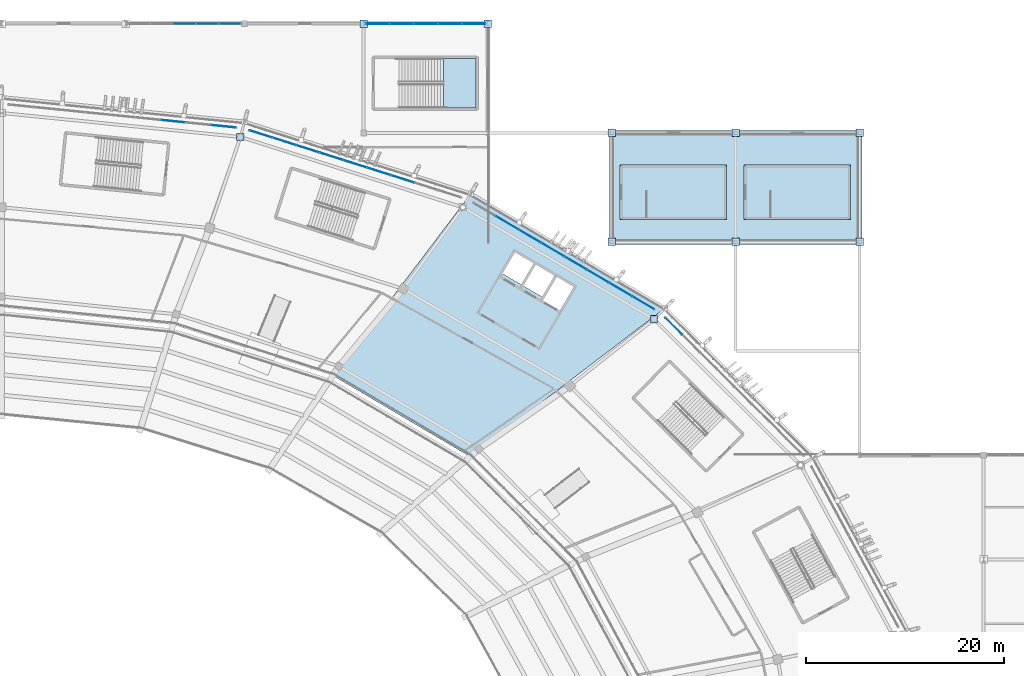
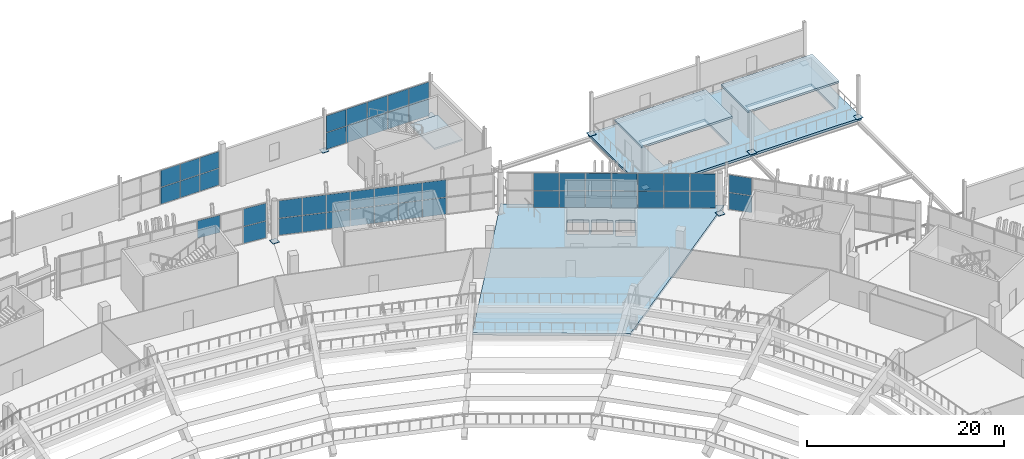
# One storey, part 102 of 178: 59 plates, 5 slabs, 7 elements without a shape of their own.
"""IFC4 building model written with IfcOpenShell, lengths in metres."""

from ifc_helpers import new_model, si_unit, direction, frame, origin, origin_2d, place, context, subcontext, project, spatial, polyline, rectangle, outline, extrude, material, layer, layer_set, type_object, element, aggregate, save


model = new_model("IFC4")

# Units and contexts
model_context = context("Model", 3, precision=1e-05, world=origin(), true_north=direction((0.0, 1.0)))
body_context = subcontext(model_context, "Body", "Model", "MODEL_VIEW")
ifc_project = project(units=[si_unit("LENGTHUNIT", "METRE"), si_unit("AREAUNIT", "SQUARE_METRE"), si_unit("VOLUMEUNIT", "CUBIC_METRE"), si_unit("PLANEANGLEUNIT", "RADIAN"), si_unit("MASSUNIT", "GRAM", prefix="KILO")], contexts=[model_context])

# Site, building, storey
site_placement = place(None, origin())
site = spatial("IfcSite", under=ifc_project, at=site_placement, CompositionType="ELEMENT")
building_placement = place(site_placement, origin())
building = spatial("IfcBuilding", under=site, at=building_placement, Name="Zlatoyarsky Gate Stadium", CompositionType="ELEMENT")
storey_placement = place(building_placement, frame((0.0, 0.0, 5.39990234375)))
storey = spatial("IfcBuildingStorey", under=building, at=storey_placement, Name="L01", CompositionType="ELEMENT", Elevation=5.39990234375)

# Slabs
ifc_material_1 = material(Name="Concrete C40/50", Category="concrete")
ifc_layer_1 = layer(ifc_material_1, 0.300048828125)
ifc_layer_set_1 = layer_set([ifc_layer_1], Name="Concrete C40/50")
slab_type_1 = type_object("IfcSlabType", Name="CONCRETE CONCOURSE SLAB 300", PredefinedType="FLOOR", material=ifc_layer_set_1)
slab_1_placement = place(storey_placement, frame((0.0, 0.0, -0.2998046875)))
element("IfcSlab", 1, at=slab_1_placement, inside=storey, type_object=slab_type_1, Name="L01 bowl sector 03 slab", PredefinedType="FLOOR", context=body_context, shape_type="SweptSolid", body=[
    extrude(outline(polyline([(144.39990234375, 124.513671875), (158.30419921875, 142.880859375), (177.898193359375, 131.342041015625), (158.234619140625, 116.34521484375), (144.39990234375, 124.513671875)]), holes=[polyline([(167.2734375, 131.070068359375), (168.688720703125, 133.486083984375), (166.962890625, 134.4970703125), (165.547607421875, 132.0810546875), (167.2734375, 131.070068359375)]), polyline([(165.483642578125, 132.46630859375), (166.747314453125, 134.623291015625), (164.84912109375, 135.7353515625), (163.58544921875, 133.578125), (165.483642578125, 132.46630859375)]), polyline([(164.63330078125, 135.86181640625), (162.735107421875, 136.9736328125), (161.471435546875, 134.816650390625), (163.36962890625, 133.70458984375), (164.63330078125, 135.86181640625)])]), origin(), (0.0, 0.0, 1.0), 0.2998046875),
])
slab_2_placement = place(storey_placement, frame((0.0, 0.0, -0.2998046875)))
element("IfcSlab", 2, at=slab_2_placement, inside=storey, type_object=slab_type_1, Name="L01 wing V6_NE slab", PredefinedType="FLOOR", context=body_context, shape_type="SweptSolid", body=[
    extrude(outline(polyline([(197.739990234375, 149.239990234375), (197.739990234375, 137.760009765625), (172.260009765625, 137.760009765625), (172.260009765625, 149.239990234375), (197.739990234375, 149.239990234375)]), holes=[polyline([(176.050048828125, 140.5), (183.800048828125, 140.5), (183.800048828125, 145.5), (176.050048828125, 145.5), (176.050048828125, 140.5)]), polyline([(188.550048828125, 140.5), (196.300048828125, 140.5), (196.300048828125, 145.5), (188.550048828125, 145.5), (188.550048828125, 140.5)])]), origin(), (0.0, 0.0, 1.0), 0.2998046875),
])
ifc_layer_2 = layer(ifc_material_1, 0.239990234375)
ifc_layer_set_2 = layer_set([ifc_layer_2], Name="Concrete C40/50")
slab_type_2 = type_object("IfcSlabType", Name="CONCRETE CORE TOP CAP SLAB 240", PredefinedType="ROOF", material=ifc_layer_set_2)
slab_3_placement = place(storey_placement, frame((0.0, 0.0, 3.2001953125)))
element("IfcSlab", 3, at=slab_3_placement, inside=storey, type_object=slab_type_2, Name="ST-27 stair headhouse roof cap", PredefinedType="ROOF", context=body_context, shape_type="SweptSolid", body=[
    extrude(outline(polyline([(173.35009765625, 140.25), (184.050048828125, 140.25), (184.050048828125, 145.75), (173.35009765625, 145.75), (173.35009765625, 140.25)])), origin(), (0.0, 0.0, 1.0), 0.239990234375),
])
slab_4_placement = place(storey_placement, frame((0.0, 0.0, 3.2001953125)))
element("IfcSlab", 4, at=slab_4_placement, inside=storey, type_object=slab_type_2, Name="ST-28 stair headhouse roof cap", PredefinedType="ROOF", context=body_context, shape_type="SweptSolid", body=[
    extrude(outline(polyline([(185.85009765625, 140.25), (196.550048828125, 140.25), (196.550048828125, 145.75), (185.85009765625, 145.75), (185.85009765625, 140.25)])), origin(), (0.0, 0.0, 1.0), 0.239990234375),
])

# Stair, slab
stair_type = type_object("IfcStairType", Name="CONCRETE DOGLEG EXIT STAIR H5200", PredefinedType="TWO_STRAIGHT_RUN_STAIR", material=ifc_material_1)
stair_placement = place(storey_placement, origin())
stair = element("IfcStair", 5, at=stair_placement, inside=storey, type_object=stair_type, Name="L01 Exit Stair ST-32", PredefinedType="TWO_STRAIGHT_RUN_STAIR")
ifc_layer_3 = layer(ifc_material_1, 0.199951171875)
ifc_layer_set_3 = layer_set([ifc_layer_3], Name="Concrete C40/50")
slab_type_3 = type_object("IfcSlabType", Name="CONCRETE STAIR LANDING SLAB 200", PredefinedType="LANDING", material=ifc_layer_set_3)
slab_5_placement = place(storey_placement, frame((0.0, 0.0, 2.400146484375)))
slab_5 = element("IfcSlab", 6, at=slab_5_placement, type_object=slab_type_3, Name="ST-DG52 landing 1", PredefinedType="LANDING", context=body_context, shape_type="SweptSolid", body=[
    extrude(outline(polyline([(155.550048828125, 151.5), (158.800048828125, 151.5), (158.800048828125, 156.5), (155.550048828125, 156.5), (155.550048828125, 151.5)])), origin(), (0.0, 0.0, 1.0), 0.199951171875),
])
aggregate(stair, [slab_5])

# Curtain wall, plates
ifc_material_2 = material(Name="Thermally broken anodised aluminium curtain wall", Category="aluminium")
curtain_wall_type_1 = type_object("IfcCurtainWallType", Name="WINTER GARDEN CONSERVATORY GLAZING", PredefinedType="USERDEFINED", material=ifc_material_2)
curtain_wall_1_placement = place(storey_placement, origin())
curtain_wall_1 = element("IfcCurtainWall", 7, at=curtain_wall_1_placement, inside=storey, type_object=curtain_wall_type_1, Name="Curtain wall CW-V2_NORTH-L01-148", ObjectType="UNITISED GLAZING", PredefinedType="USERDEFINED")
ifc_material_3 = material(Name="Anodised aluminium spandrel panel", Category="aluminium")
ifc_layer_4 = layer(ifc_material_3, 0.05810546875)
ifc_layer_set_4 = layer_set([ifc_layer_4], Name="Anodised aluminium spandrel panel")
plate_type_1 = type_object("IfcPlateType", Name="INSULATED ALUMINIUM SPANDREL PANEL 58", PredefinedType="CURTAIN_PANEL", material=ifc_layer_set_4)
plate_1_placement = place(storey_placement, frame((148.895751953125, 160.0, 0.06494140625), z_axis=(0.0, 0.0, 1.0), x_axis=(1.0, 0.0, 0.0)))
plate_1 = element("IfcPlate", 8, at=plate_1_placement, type_object=plate_type_1, Name="CW-WG1 panel 1.1", PredefinedType="CURTAIN_PANEL", context=body_context, shape_type="SweptSolid", body=[
    extrude(rectangle(XDim=2.337646484375, YDim=0.05810546875, at=origin_2d()), origin(), (0.0, 0.0, 1.0), 2.052490234375),
])
plate_2_placement = place(storey_placement, frame((148.895751953125, 160.0, 2.1826171875), z_axis=(0.0, 0.0, 1.0), x_axis=(1.0, 0.0, 0.0)))
plate_2 = element("IfcPlate", 9, at=plate_2_placement, type_object=plate_type_1, Name="CW-WG1 panel 1.2", PredefinedType="CURTAIN_PANEL", context=body_context, shape_type="SweptSolid", body=[
    extrude(rectangle(XDim=2.337646484375, YDim=0.05810546875, at=origin_2d()), origin(), (0.0, 0.0, 1.0), 2.052490234375),
])
plate_3_placement = place(storey_placement, frame((151.314697265625, 160.0, 0.06494140625), z_axis=(0.0, 0.0, 1.0), x_axis=(1.0, 0.0, 0.0)))
plate_3 = element("IfcPlate", 10, at=plate_3_placement, type_object=plate_type_1, Name="CW-WG1 panel 2.1", PredefinedType="CURTAIN_PANEL", context=body_context, shape_type="SweptSolid", body=[
    extrude(rectangle(XDim=2.3701171875, YDim=0.05810546875, at=origin_2d()), origin(), (0.0, 0.0, 1.0), 2.052490234375),
])
plate_4_placement = place(storey_placement, frame((151.314697265625, 160.0, 2.1826171875), z_axis=(0.0, 0.0, 1.0), x_axis=(1.0, 0.0, 0.0)))
plate_4 = element("IfcPlate", 11, at=plate_4_placement, type_object=plate_type_1, Name="CW-WG1 panel 2.2", PredefinedType="CURTAIN_PANEL", context=body_context, shape_type="SweptSolid", body=[
    extrude(rectangle(XDim=2.3701171875, YDim=0.05810546875, at=origin_2d()), origin(), (0.0, 0.0, 1.0), 2.052490234375),
])
plate_5_placement = place(storey_placement, frame((153.75, 160.0, 0.06494140625), z_axis=(0.0, 0.0, 1.0), x_axis=(1.0, 0.0, 0.0)))
plate_5 = element("IfcPlate", 12, at=plate_5_placement, type_object=plate_type_1, Name="CW-WG1 panel 3.1", PredefinedType="CURTAIN_PANEL", context=body_context, shape_type="SweptSolid", body=[
    extrude(rectangle(XDim=2.3701171875, YDim=0.05810546875, at=origin_2d()), origin(), (0.0, 0.0, 1.0), 2.052490234375),
])
plate_6_placement = place(storey_placement, frame((153.75, 160.0, 2.1826171875), z_axis=(0.0, 0.0, 1.0), x_axis=(1.0, 0.0, 0.0)))
plate_6 = element("IfcPlate", 13, at=plate_6_placement, type_object=plate_type_1, Name="CW-WG1 panel 3.2", PredefinedType="CURTAIN_PANEL", context=body_context, shape_type="SweptSolid", body=[
    extrude(rectangle(XDim=2.3701171875, YDim=0.05810546875, at=origin_2d()), origin(), (0.0, 0.0, 1.0), 2.052490234375),
])
plate_7_placement = place(storey_placement, frame((156.185302734375, 160.0, 0.06494140625), z_axis=(0.0, 0.0, 1.0), x_axis=(1.0, 0.0, 0.0)))
plate_7 = element("IfcPlate", 14, at=plate_7_placement, type_object=plate_type_1, Name="CW-WG1 panel 4.1", PredefinedType="CURTAIN_PANEL", context=body_context, shape_type="SweptSolid", body=[
    extrude(rectangle(XDim=2.3701171875, YDim=0.05810546875, at=origin_2d()), origin(), (0.0, 0.0, 1.0), 2.052490234375),
])
plate_8_placement = place(storey_placement, frame((156.185302734375, 160.0, 2.1826171875), z_axis=(0.0, 0.0, 1.0), x_axis=(1.0, 0.0, 0.0)))
plate_8 = element("IfcPlate", 15, at=plate_8_placement, type_object=plate_type_1, Name="CW-WG1 panel 4.2", PredefinedType="CURTAIN_PANEL", context=body_context, shape_type="SweptSolid", body=[
    extrude(rectangle(XDim=2.3701171875, YDim=0.05810546875, at=origin_2d()), origin(), (0.0, 0.0, 1.0), 2.052490234375),
])
plate_9_placement = place(storey_placement, frame((158.604248046875, 160.0, 0.06494140625), z_axis=(0.0, 0.0, 1.0), x_axis=(1.0, 0.0, 0.0)))
plate_9 = element("IfcPlate", 16, at=plate_9_placement, type_object=plate_type_1, Name="CW-WG1 panel 5.1", PredefinedType="CURTAIN_PANEL", context=body_context, shape_type="SweptSolid", body=[
    extrude(rectangle(XDim=2.337646484375, YDim=0.05810546875, at=origin_2d()), origin(), (0.0, 0.0, 1.0), 2.052490234375),
])
plate_10_placement = place(storey_placement, frame((158.604248046875, 160.0, 2.1826171875), z_axis=(0.0, 0.0, 1.0), x_axis=(1.0, 0.0, 0.0)))
plate_10 = element("IfcPlate", 17, at=plate_10_placement, type_object=plate_type_1, Name="CW-WG1 panel 5.2", PredefinedType="CURTAIN_PANEL", context=body_context, shape_type="SweptSolid", body=[
    extrude(rectangle(XDim=2.337646484375, YDim=0.05810546875, at=origin_2d()), origin(), (0.0, 0.0, 1.0), 2.052490234375),
])
aggregate(curtain_wall_1, [plate_1, plate_2, plate_3, plate_4, plate_5, plate_6, plate_7, plate_8, plate_9, plate_10])

# Plates
ifc_material_4 = material(Name="Steel S355", Category="steel")
ifc_layer_5 = layer(ifc_material_4, 0.0400390625)
ifc_layer_set_5 = layer_set([ifc_layer_5], Name="Steel S355")
plate_type_2 = type_object("IfcPlateType", Name="STEEL COLUMN BASE PLATE 40", PredefinedType="USERDEFINED", material=ifc_layer_set_5)
for number, where, z_axis, x_axis, name in (
    (18, (176.760986328125, 130.20458984375, 0.0), (0.0, 0.0, 1.0), (1.0, 0.0, 0.0), "Column base plate BP-01 at RC-03 L01"),
    (19, (135.0703125, 148.580810546875, 0.0), (0.0, 0.0, 1.0), (1.0, 0.0, 0.0), "Column base plate BP-01 at RC-05 L01"),
    (20, (147.5, 160.0, 0.0), (0.0, 0.0, 1.0), (1.0, 0.0, 0.0), "Column base plate BP-01 at WG-13-Q L01"),
    (21, (160.0, 160.0, 0.0), (0.0, 0.0, 1.0), (1.0, 0.0, 0.0), "Column base plate BP-01 at WG-14-Q L01"),
    (22, (172.5, 138.0, 0.0), (0.0, 0.0, 1.0), (1.0, 0.0, 0.0), "Column base plate BP-01 at WG-15-N L01"),
    (23, (172.5, 149.0, 0.0), (0.0, 0.0, 1.0), (1.0, 0.0, 0.0), "Column base plate BP-01 at WG-15-P L01"),
    (24, (185.0, 138.0, 0.0), (0.0, 0.0, 1.0), (1.0, 0.0, 0.0), "Column base plate BP-01 at WG-16-N L01"),
    (25, (185.0, 149.0, 0.0), (0.0, 0.0, 1.0), (1.0, 0.0, 0.0), "Column base plate BP-01 at WG-16-P L01"),
    (26, (197.5, 138.0, 0.0), (0.0, 0.0, 1.0), (1.0, 0.0, 0.0), "Column base plate BP-01 at WG-17-N L01"),
    (27, (197.5, 149.0, 0.0), (0.0, 0.0, 1.0), (1.0, 0.0, 0.0), "Column base plate BP-01 at WG-17-P L01"),
):
    element("IfcPlate", number, at=place(storey_placement, frame(where, z_axis=z_axis, x_axis=x_axis)), inside=storey, type_object=plate_type_2, Name=name, ObjectType="BASE PLATE", PredefinedType="USERDEFINED", context=body_context, shape_type="SweptSolid", body=[
        extrude(rectangle(XDim=0.75, YDim=0.75, at=origin_2d()), origin(), (0.0, 0.0, 1.0), 0.0400390625),
    ])

# Curtain wall, plates
curtain_wall_type_2 = type_object("IfcCurtainWallType", Name="UNITISED HOSPITALITY GLAZING L01", PredefinedType="USERDEFINED", material=ifc_material_2)
curtain_wall_2_placement = place(storey_placement, origin())
curtain_wall_2 = element("IfcCurtainWall", 28, at=curtain_wall_2_placement, inside=storey, type_object=curtain_wall_type_2, Name="Curtain wall CW-L01-02", ObjectType="UNITISED GLAZING", PredefinedType="USERDEFINED")
ifc_material_5 = material(Name="Triple-glazed argon low-e architectural glass", Category="glass")
ifc_layer_6 = layer(ifc_material_5, 0.0380859375)
ifc_layer_set_6 = layer_set([ifc_layer_6], Name="Triple-glazed argon low-e architectural glass")
plate_type_3 = type_object("IfcPlateType", Name="TRIPLE GLAZED LOW E CURTAIN PANEL 38", PredefinedType="CURTAIN_PANEL", material=ifc_layer_set_6)
plate_11_placement = place(storey_placement, frame((178.750244140625, 129.5029296875, 0.06494140625), z_axis=(0.0, 0.0, 1.0), x_axis=(-0.707841859523, 0.706370937898, 0.0)))
plate_11 = element("IfcPlate", 29, at=plate_11_placement, type_object=plate_type_3, Name="CW-UG1 panel 8.1", PredefinedType="CURTAIN_PANEL", context=body_context, shape_type="SweptSolid", body=[
    extrude(rectangle(XDim=2.37548828125, YDim=0.0380859375, at=origin_2d()), origin(), (0.0, 0.0, 1.0), 2.052490234375),
])
plate_12_placement = place(storey_placement, frame((178.750244140625, 129.5029296875, 2.1826171875), z_axis=(0.0, 0.0, 1.0), x_axis=(-0.707841859523, 0.706370937898, 0.0)))
plate_12 = element("IfcPlate", 30, at=plate_12_placement, type_object=plate_type_3, Name="CW-UG1 panel 8.2", PredefinedType="CURTAIN_PANEL", context=body_context, shape_type="SweptSolid", body=[
    extrude(rectangle(XDim=2.37548828125, YDim=0.0380859375, at=origin_2d()), origin(), (0.0, 0.0, 1.0), 2.152587890625),
])
aggregate(curtain_wall_2, [plate_11, plate_12])

curtain_wall_3_placement = place(storey_placement, origin())
curtain_wall_3 = element("IfcCurtainWall", 31, at=curtain_wall_3_placement, inside=storey, type_object=curtain_wall_type_2, Name="Curtain wall CW-L01-03", ObjectType="UNITISED GLAZING", PredefinedType="USERDEFINED")
plate_13_placement = place(storey_placement, frame((175.683349609375, 131.857666015625, 0.06494140625), z_axis=(0.0, 0.0, 1.0), x_axis=(-0.862186850558, 0.506590401335, 0.0)))
plate_13 = element("IfcPlate", 32, at=plate_13_placement, type_object=plate_type_3, Name="CW-UG1 panel 1.1", PredefinedType="CURTAIN_PANEL", context=body_context, shape_type="SweptSolid", body=[
    extrude(rectangle(XDim=2.559814453125, YDim=0.0380859375, at=origin_2d()), origin(), (0.0, 0.0, 1.0), 2.052490234375),
])
plate_14_placement = place(storey_placement, frame((175.683349609375, 131.857666015625, 2.1826171875), z_axis=(0.0, 0.0, 1.0), x_axis=(-0.862186850558, 0.506590401335, 0.0)))
plate_14 = element("IfcPlate", 33, at=plate_14_placement, type_object=plate_type_3, Name="CW-UG1 panel 1.2", PredefinedType="CURTAIN_PANEL", context=body_context, shape_type="SweptSolid", body=[
    extrude(rectangle(XDim=2.559814453125, YDim=0.0380859375, at=origin_2d()), origin(), (0.0, 0.0, 1.0), 2.152587890625),
])
plate_15_placement = place(storey_placement, frame((173.40625, 133.195556640625, 0.06494140625), z_axis=(0.0, 0.0, 1.0), x_axis=(-0.862186850558, 0.506590401335, 0.0)))
plate_15 = element("IfcPlate", 34, at=plate_15_placement, type_object=plate_type_3, Name="CW-UG1 panel 2.1", PredefinedType="CURTAIN_PANEL", context=body_context, shape_type="SweptSolid", body=[
    extrude(rectangle(XDim=2.59228515625, YDim=0.0380859375, at=origin_2d()), origin(), (0.0, 0.0, 1.0), 2.052490234375),
])
plate_16_placement = place(storey_placement, frame((173.40625, 133.195556640625, 2.1826171875), z_axis=(0.0, 0.0, 1.0), x_axis=(-0.862186850558, 0.506590401335, 0.0)))
plate_16 = element("IfcPlate", 35, at=plate_16_placement, type_object=plate_type_3, Name="CW-UG1 panel 2.2", PredefinedType="CURTAIN_PANEL", context=body_context, shape_type="SweptSolid", body=[
    extrude(rectangle(XDim=2.59228515625, YDim=0.0380859375, at=origin_2d()), origin(), (0.0, 0.0, 1.0), 2.152587890625),
])
plate_17_placement = place(storey_placement, frame((171.115234375, 134.54150390625, 0.06494140625), z_axis=(0.0, 0.0, 1.0), x_axis=(-0.862186850558, 0.506590401335, 0.0)))
plate_17 = element("IfcPlate", 36, at=plate_17_placement, type_object=plate_type_3, Name="CW-UG1 panel 3.1", PredefinedType="CURTAIN_PANEL", context=body_context, shape_type="SweptSolid", body=[
    extrude(rectangle(XDim=2.59228515625, YDim=0.0380859375, at=origin_2d()), origin(), (0.0, 0.0, 1.0), 2.052490234375),
])
plate_18_placement = place(storey_placement, frame((171.115234375, 134.54150390625, 2.1826171875), z_axis=(0.0, 0.0, 1.0), x_axis=(-0.862186850558, 0.506590401335, 0.0)))
plate_18 = element("IfcPlate", 37, at=plate_18_placement, type_object=plate_type_3, Name="CW-UG1 panel 3.2", PredefinedType="CURTAIN_PANEL", context=body_context, shape_type="SweptSolid", body=[
    extrude(rectangle(XDim=2.59228515625, YDim=0.0380859375, at=origin_2d()), origin(), (0.0, 0.0, 1.0), 2.152587890625),
])
plate_19_placement = place(storey_placement, frame((168.82421875, 135.8876953125, 0.06494140625), z_axis=(0.0, 0.0, 1.0), x_axis=(-0.862186850558, 0.506590401335, 0.0)))
plate_19 = element("IfcPlate", 38, at=plate_19_placement, type_object=plate_type_3, Name="CW-UG1 panel 4.1", PredefinedType="CURTAIN_PANEL", context=body_context, shape_type="SweptSolid", body=[
    extrude(rectangle(XDim=2.59228515625, YDim=0.0380859375, at=origin_2d()), origin(), (0.0, 0.0, 1.0), 2.052490234375),
])
plate_20_placement = place(storey_placement, frame((168.82421875, 135.8876953125, 2.1826171875), z_axis=(0.0, 0.0, 1.0), x_axis=(-0.862186850558, 0.506590401335, 0.0)))
plate_20 = element("IfcPlate", 39, at=plate_20_placement, type_object=plate_type_3, Name="CW-UG1 panel 4.2", PredefinedType="CURTAIN_PANEL", context=body_context, shape_type="SweptSolid", body=[
    extrude(rectangle(XDim=2.59228515625, YDim=0.0380859375, at=origin_2d()), origin(), (0.0, 0.0, 1.0), 2.152587890625),
])
plate_21_placement = place(storey_placement, frame((166.533203125, 137.23388671875, 0.06494140625), z_axis=(0.0, 0.0, 1.0), x_axis=(-0.862186850558, 0.506590401335, 0.0)))
plate_21 = element("IfcPlate", 40, at=plate_21_placement, type_object=plate_type_3, Name="CW-UG1 panel 5.1", PredefinedType="CURTAIN_PANEL", context=body_context, shape_type="SweptSolid", body=[
    extrude(rectangle(XDim=2.59228515625, YDim=0.0380859375, at=origin_2d()), origin(), (0.0, 0.0, 1.0), 2.052490234375),
])
plate_22_placement = place(storey_placement, frame((166.533203125, 137.23388671875, 2.1826171875), z_axis=(0.0, 0.0, 1.0), x_axis=(-0.862186850558, 0.506590401335, 0.0)))
plate_22 = element("IfcPlate", 41, at=plate_22_placement, type_object=plate_type_3, Name="CW-UG1 panel 5.2", PredefinedType="CURTAIN_PANEL", context=body_context, shape_type="SweptSolid", body=[
    extrude(rectangle(XDim=2.59228515625, YDim=0.0380859375, at=origin_2d()), origin(), (0.0, 0.0, 1.0), 2.152587890625),
])
plate_23_placement = place(storey_placement, frame((164.2421875, 138.580078125, 0.06494140625), z_axis=(0.0, 0.0, 1.0), x_axis=(-0.862186850558, 0.506590401335, 0.0)))
plate_23 = element("IfcPlate", 42, at=plate_23_placement, type_object=plate_type_3, Name="CW-UG1 panel 6.1", PredefinedType="CURTAIN_PANEL", context=body_context, shape_type="SweptSolid", body=[
    extrude(rectangle(XDim=2.59228515625, YDim=0.0380859375, at=origin_2d()), origin(), (0.0, 0.0, 1.0), 2.052490234375),
])
plate_24_placement = place(storey_placement, frame((164.2421875, 138.580078125, 2.1826171875), z_axis=(0.0, 0.0, 1.0), x_axis=(-0.862186850558, 0.506590401335, 0.0)))
plate_24 = element("IfcPlate", 43, at=plate_24_placement, type_object=plate_type_3, Name="CW-UG1 panel 6.2", PredefinedType="CURTAIN_PANEL", context=body_context, shape_type="SweptSolid", body=[
    extrude(rectangle(XDim=2.59228515625, YDim=0.0380859375, at=origin_2d()), origin(), (0.0, 0.0, 1.0), 2.152587890625),
])
plate_25_placement = place(storey_placement, frame((161.951171875, 139.926025390625, 0.06494140625), z_axis=(0.0, 0.0, 1.0), x_axis=(-0.862186850558, 0.506590401335, 0.0)))
plate_25 = element("IfcPlate", 44, at=plate_25_placement, type_object=plate_type_3, Name="CW-UG1 panel 7.1", PredefinedType="CURTAIN_PANEL", context=body_context, shape_type="SweptSolid", body=[
    extrude(rectangle(XDim=2.59228515625, YDim=0.0380859375, at=origin_2d()), origin(), (0.0, 0.0, 1.0), 2.052490234375),
])
plate_26_placement = place(storey_placement, frame((161.951171875, 139.926025390625, 2.1826171875), z_axis=(0.0, 0.0, 1.0), x_axis=(-0.862186850558, 0.506590401335, 0.0)))
plate_26 = element("IfcPlate", 45, at=plate_26_placement, type_object=plate_type_3, Name="CW-UG1 panel 7.2", PredefinedType="CURTAIN_PANEL", context=body_context, shape_type="SweptSolid", body=[
    extrude(rectangle(XDim=2.59228515625, YDim=0.0380859375, at=origin_2d()), origin(), (0.0, 0.0, 1.0), 2.152587890625),
])
aggregate(curtain_wall_3, [plate_13, plate_14, plate_15, plate_16, plate_17, plate_18, plate_19, plate_20, plate_21, plate_22, plate_23, plate_24, plate_25, plate_26])

curtain_wall_4_placement = place(storey_placement, origin())
curtain_wall_4 = element("IfcCurtainWall", 46, at=curtain_wall_4_placement, inside=storey, type_object=curtain_wall_type_2, Name="Curtain wall CW-L01-04", ObjectType="UNITISED GLAZING", PredefinedType="USERDEFINED")
plate_27_placement = place(storey_placement, frame((151.387451171875, 144.357421875, 0.06494140625), z_axis=(0.0, 0.0, 1.0), x_axis=(-0.953202069722, 0.302333944964, 0.0)))
plate_27 = element("IfcPlate", 47, at=plate_27_placement, type_object=plate_type_3, Name="CW-UG1 panel 3.1", PredefinedType="CURTAIN_PANEL", context=body_context, shape_type="SweptSolid", body=[
    extrude(rectangle(XDim=2.4306640625, YDim=0.0380859375, at=origin_2d()), origin(), (0.0, 0.0, 1.0), 2.052490234375),
])
plate_28_placement = place(storey_placement, frame((151.387451171875, 144.357421875, 2.1826171875), z_axis=(0.0, 0.0, 1.0), x_axis=(-0.953202069722, 0.302333944964, 0.0)))
plate_28 = element("IfcPlate", 48, at=plate_28_placement, type_object=plate_type_3, Name="CW-UG1 panel 3.2", PredefinedType="CURTAIN_PANEL", context=body_context, shape_type="SweptSolid", body=[
    extrude(rectangle(XDim=2.4306640625, YDim=0.0380859375, at=origin_2d()), origin(), (0.0, 0.0, 1.0), 2.152587890625),
])
plate_29_placement = place(storey_placement, frame((149.008544921875, 145.11181640625, 0.06494140625), z_axis=(0.0, 0.0, 1.0), x_axis=(-0.953202069722, 0.302333944964, 0.0)))
plate_29 = element("IfcPlate", 49, at=plate_29_placement, type_object=plate_type_3, Name="CW-UG1 panel 4.1", PredefinedType="CURTAIN_PANEL", context=body_context, shape_type="SweptSolid", body=[
    extrude(rectangle(XDim=2.4306640625, YDim=0.0380859375, at=origin_2d()), origin(), (0.0, 0.0, 1.0), 2.052490234375),
])
plate_30_placement = place(storey_placement, frame((149.008544921875, 145.11181640625, 2.1826171875), z_axis=(0.0, 0.0, 1.0), x_axis=(-0.953202069722, 0.302333944964, 0.0)))
plate_30 = element("IfcPlate", 50, at=plate_30_placement, type_object=plate_type_3, Name="CW-UG1 panel 4.2", PredefinedType="CURTAIN_PANEL", context=body_context, shape_type="SweptSolid", body=[
    extrude(rectangle(XDim=2.4306640625, YDim=0.0380859375, at=origin_2d()), origin(), (0.0, 0.0, 1.0), 2.152587890625),
])
plate_31_placement = place(storey_placement, frame((146.6298828125, 145.866455078125, 0.06494140625), z_axis=(0.0, 0.0, 1.0), x_axis=(-0.953202069722, 0.302333944964, 0.0)))
plate_31 = element("IfcPlate", 51, at=plate_31_placement, type_object=plate_type_3, Name="CW-UG1 panel 5.1", PredefinedType="CURTAIN_PANEL", context=body_context, shape_type="SweptSolid", body=[
    extrude(rectangle(XDim=2.4306640625, YDim=0.0380859375, at=origin_2d()), origin(), (0.0, 0.0, 1.0), 2.052490234375),
])
plate_32_placement = place(storey_placement, frame((146.6298828125, 145.866455078125, 2.1826171875), z_axis=(0.0, 0.0, 1.0), x_axis=(-0.953202069722, 0.302333944964, 0.0)))
plate_32 = element("IfcPlate", 52, at=plate_32_placement, type_object=plate_type_3, Name="CW-UG1 panel 5.2", PredefinedType="CURTAIN_PANEL", context=body_context, shape_type="SweptSolid", body=[
    extrude(rectangle(XDim=2.4306640625, YDim=0.0380859375, at=origin_2d()), origin(), (0.0, 0.0, 1.0), 2.152587890625),
])
plate_33_placement = place(storey_placement, frame((144.2509765625, 146.62109375, 0.06494140625), z_axis=(0.0, 0.0, 1.0), x_axis=(-0.953202069722, 0.302333944964, 0.0)))
plate_33 = element("IfcPlate", 53, at=plate_33_placement, type_object=plate_type_3, Name="CW-UG1 panel 6.1", PredefinedType="CURTAIN_PANEL", context=body_context, shape_type="SweptSolid", body=[
    extrude(rectangle(XDim=2.4306640625, YDim=0.0380859375, at=origin_2d()), origin(), (0.0, 0.0, 1.0), 2.052490234375),
])
plate_34_placement = place(storey_placement, frame((144.2509765625, 146.62109375, 2.1826171875), z_axis=(0.0, 0.0, 1.0), x_axis=(-0.953202069722, 0.302333944964, 0.0)))
plate_34 = element("IfcPlate", 54, at=plate_34_placement, type_object=plate_type_3, Name="CW-UG1 panel 6.2", PredefinedType="CURTAIN_PANEL", context=body_context, shape_type="SweptSolid", body=[
    extrude(rectangle(XDim=2.4306640625, YDim=0.0380859375, at=origin_2d()), origin(), (0.0, 0.0, 1.0), 2.152587890625),
])
plate_35_placement = place(storey_placement, frame((141.8720703125, 147.37548828125, 0.06494140625), z_axis=(0.0, 0.0, 1.0), x_axis=(-0.953202069722, 0.302333944964, 0.0)))
plate_35 = element("IfcPlate", 55, at=plate_35_placement, type_object=plate_type_3, Name="CW-UG1 panel 7.1", PredefinedType="CURTAIN_PANEL", context=body_context, shape_type="SweptSolid", body=[
    extrude(rectangle(XDim=2.4306640625, YDim=0.0380859375, at=origin_2d()), origin(), (0.0, 0.0, 1.0), 2.052490234375),
])
plate_36_placement = place(storey_placement, frame((141.8720703125, 147.37548828125, 2.1826171875), z_axis=(0.0, 0.0, 1.0), x_axis=(-0.953202069722, 0.302333944964, 0.0)))
plate_36 = element("IfcPlate", 56, at=plate_36_placement, type_object=plate_type_3, Name="CW-UG1 panel 7.2", PredefinedType="CURTAIN_PANEL", context=body_context, shape_type="SweptSolid", body=[
    extrude(rectangle(XDim=2.4306640625, YDim=0.0380859375, at=origin_2d()), origin(), (0.0, 0.0, 1.0), 2.152587890625),
])
plate_37_placement = place(storey_placement, frame((139.4931640625, 148.130126953125, 0.06494140625), z_axis=(0.0, 0.0, 1.0), x_axis=(-0.953202069722, 0.302333944964, 0.0)))
plate_37 = element("IfcPlate", 57, at=plate_37_placement, type_object=plate_type_3, Name="CW-UG1 panel 8.1", PredefinedType="CURTAIN_PANEL", context=body_context, shape_type="SweptSolid", body=[
    extrude(rectangle(XDim=2.4306640625, YDim=0.0380859375, at=origin_2d()), origin(), (0.0, 0.0, 1.0), 2.052490234375),
])
plate_38_placement = place(storey_placement, frame((139.4931640625, 148.130126953125, 2.1826171875), z_axis=(0.0, 0.0, 1.0), x_axis=(-0.953202069722, 0.302333944964, 0.0)))
plate_38 = element("IfcPlate", 58, at=plate_38_placement, type_object=plate_type_3, Name="CW-UG1 panel 8.2", PredefinedType="CURTAIN_PANEL", context=body_context, shape_type="SweptSolid", body=[
    extrude(rectangle(XDim=2.4306640625, YDim=0.0380859375, at=origin_2d()), origin(), (0.0, 0.0, 1.0), 2.152587890625),
])
plate_39_placement = place(storey_placement, frame((137.1298828125, 148.879638671875, 0.06494140625), z_axis=(0.0, 0.0, 1.0), x_axis=(-0.953202069722, 0.302333944964, 0.0)))
plate_39 = element("IfcPlate", 59, at=plate_39_placement, type_object=plate_type_3, Name="CW-UG1 panel 9.1", PredefinedType="CURTAIN_PANEL", context=body_context, shape_type="SweptSolid", body=[
    extrude(rectangle(XDim=2.398193359375, YDim=0.0380859375, at=origin_2d()), origin(), (0.0, 0.0, 1.0), 2.052490234375),
])
plate_40_placement = place(storey_placement, frame((137.1298828125, 148.879638671875, 2.1826171875), z_axis=(0.0, 0.0, 1.0), x_axis=(-0.953202069722, 0.302333944964, 0.0)))
plate_40 = element("IfcPlate", 60, at=plate_40_placement, type_object=plate_type_3, Name="CW-UG1 panel 9.2", PredefinedType="CURTAIN_PANEL", context=body_context, shape_type="SweptSolid", body=[
    extrude(rectangle(XDim=2.398193359375, YDim=0.0380859375, at=origin_2d()), origin(), (0.0, 0.0, 1.0), 2.152587890625),
])
aggregate(curtain_wall_4, [plate_27, plate_28, plate_29, plate_30, plate_31, plate_32, plate_33, plate_34, plate_35, plate_36, plate_37, plate_38, plate_39, plate_40])

curtain_wall_5_placement = place(storey_placement, origin())
curtain_wall_5 = element("IfcCurtainWall", 61, at=curtain_wall_5_placement, inside=storey, type_object=curtain_wall_type_2, Name="Curtain wall CW-L01-05", ObjectType="UNITISED GLAZING", PredefinedType="USERDEFINED")
plate_41_placement = place(storey_placement, frame((133.364013671875, 149.654052734375, 0.06494140625), z_axis=(0.0, 0.0, 1.0), x_axis=(-0.99495720457, 0.100300354307, 0.0)))
plate_41 = element("IfcPlate", 62, at=plate_41_placement, type_object=plate_type_3, Name="CW-UG1 panel 1.1", PredefinedType="CURTAIN_PANEL", context=body_context, shape_type="SweptSolid", body=[
    extrude(rectangle(XDim=2.472412109375, YDim=0.0380859375, at=origin_2d()), origin(), (0.0, 0.0, 1.0), 2.052490234375),
])
plate_42_placement = place(storey_placement, frame((133.364013671875, 149.654052734375, 2.1826171875), z_axis=(0.0, 0.0, 1.0), x_axis=(-0.99495720457, 0.100300354307, 0.0)))
plate_42 = element("IfcPlate", 63, at=plate_42_placement, type_object=plate_type_3, Name="CW-UG1 panel 1.2", PredefinedType="CURTAIN_PANEL", context=body_context, shape_type="SweptSolid", body=[
    extrude(rectangle(XDim=2.472412109375, YDim=0.0380859375, at=origin_2d()), origin(), (0.0, 0.0, 1.0), 2.152587890625),
])
plate_43_placement = place(storey_placement, frame((128.266357421875, 150.16796875, 2.1826171875), z_axis=(0.0, 0.0, 1.0), x_axis=(-0.99495720457, 0.100300354307, 0.0)))
plate_43 = element("IfcPlate", 64, at=plate_43_placement, type_object=plate_type_3, Name="CW-UG1 panel 3.2", PredefinedType="CURTAIN_PANEL", context=body_context, shape_type="SweptSolid", body=[
    extrude(rectangle(XDim=2.5048828125, YDim=0.0380859375, at=origin_2d()), origin(), (0.0, 0.0, 1.0), 2.152587890625),
])
aggregate(curtain_wall_5, [plate_41, plate_42, plate_43])

curtain_wall_6_placement = place(storey_placement, origin())
curtain_wall_6 = element("IfcCurtainWall", 65, at=curtain_wall_6_placement, inside=storey, type_object=curtain_wall_type_1, Name="Curtain wall CW-V2_NORTH-L01-147", ObjectType="UNITISED GLAZING", PredefinedType="USERDEFINED")
plate_44_placement = place(storey_placement, frame((129.425048828125, 160.0, 0.06494140625), z_axis=(0.0, 0.0, 1.0), x_axis=(1.0, 0.0, 0.0)))
plate_44 = element("IfcPlate", 66, at=plate_44_placement, type_object=plate_type_3, Name="CW-WG1 panel 3.1", PredefinedType="CURTAIN_PANEL", context=body_context, shape_type="SweptSolid", body=[
    extrude(rectangle(XDim=2.240234375, YDim=0.0380859375, at=origin_2d()), origin(), (0.0, 0.0, 1.0), 2.052490234375),
])
plate_45_placement = place(storey_placement, frame((129.425048828125, 160.0, 2.1826171875), z_axis=(0.0, 0.0, 1.0), x_axis=(1.0, 0.0, 0.0)))
plate_45 = element("IfcPlate", 67, at=plate_45_placement, type_object=plate_type_3, Name="CW-WG1 panel 3.2", PredefinedType="CURTAIN_PANEL", context=body_context, shape_type="SweptSolid", body=[
    extrude(rectangle(XDim=2.240234375, YDim=0.0380859375, at=origin_2d()), origin(), (0.0, 0.0, 1.0), 2.052490234375),
])
plate_46_placement = place(storey_placement, frame((131.730224609375, 160.0, 0.06494140625), z_axis=(0.0, 0.0, 1.0), x_axis=(1.0, 0.0, 0.0)))
plate_46 = element("IfcPlate", 68, at=plate_46_placement, type_object=plate_type_3, Name="CW-WG1 panel 4.1", PredefinedType="CURTAIN_PANEL", context=body_context, shape_type="SweptSolid", body=[
    extrude(rectangle(XDim=2.240234375, YDim=0.0380859375, at=origin_2d()), origin(), (0.0, 0.0, 1.0), 2.052490234375),
])
plate_47_placement = place(storey_placement, frame((131.730224609375, 160.0, 2.1826171875), z_axis=(0.0, 0.0, 1.0), x_axis=(1.0, 0.0, 0.0)))
plate_47 = element("IfcPlate", 69, at=plate_47_placement, type_object=plate_type_3, Name="CW-WG1 panel 4.2", PredefinedType="CURTAIN_PANEL", context=body_context, shape_type="SweptSolid", body=[
    extrude(rectangle(XDim=2.240234375, YDim=0.0380859375, at=origin_2d()), origin(), (0.0, 0.0, 1.0), 2.052490234375),
])
plate_48_placement = place(storey_placement, frame((134.01904296875, 160.0, 0.06494140625), z_axis=(0.0, 0.0, 1.0), x_axis=(1.0, 0.0, 0.0)))
plate_48 = element("IfcPlate", 70, at=plate_48_placement, type_object=plate_type_3, Name="CW-WG1 panel 5.1", PredefinedType="CURTAIN_PANEL", context=body_context, shape_type="SweptSolid", body=[
    extrude(rectangle(XDim=2.207763671875, YDim=0.0380859375, at=origin_2d()), origin(), (0.0, 0.0, 1.0), 2.052490234375),
])
plate_49_placement = place(storey_placement, frame((134.01904296875, 160.0, 2.1826171875), z_axis=(0.0, 0.0, 1.0), x_axis=(1.0, 0.0, 0.0)))
plate_49 = element("IfcPlate", 71, at=plate_49_placement, type_object=plate_type_3, Name="CW-WG1 panel 5.2", PredefinedType="CURTAIN_PANEL", context=body_context, shape_type="SweptSolid", body=[
    extrude(rectangle(XDim=2.207763671875, YDim=0.0380859375, at=origin_2d()), origin(), (0.0, 0.0, 1.0), 2.052490234375),
])
aggregate(curtain_wall_6, [plate_44, plate_45, plate_46, plate_47, plate_48, plate_49])

save(model, "model.ifc")
